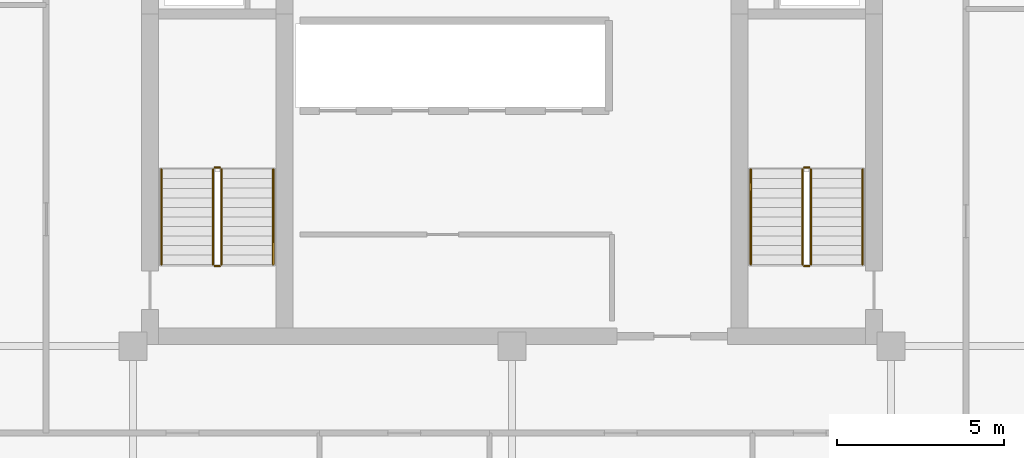
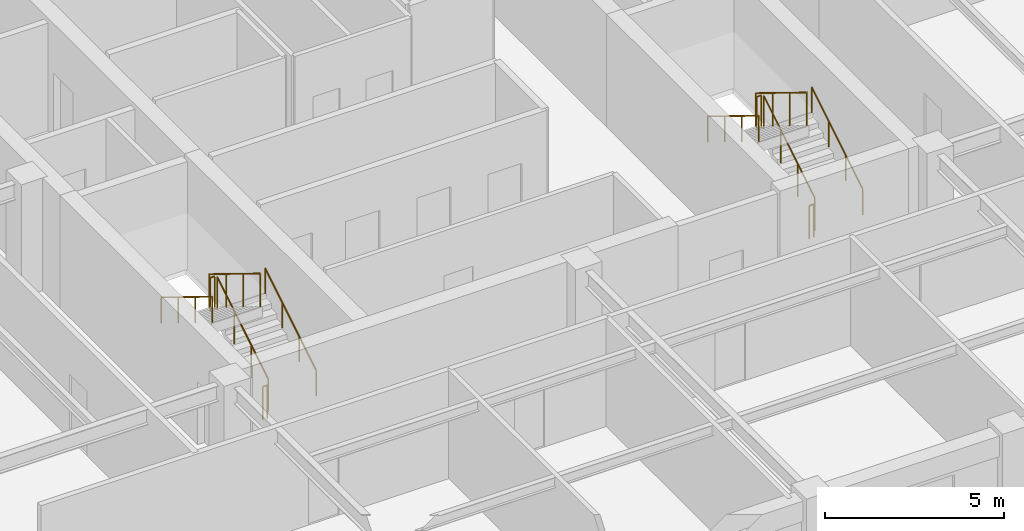
# One storey, part 6 of 6: 12 railings.
"""IFC4 building model written with IfcOpenShell, lengths in metres."""

from ifc_helpers import new_model, si_unit, direction, frame, origin, origin_2d, place, context, subcontext, project, spatial, circle, extrude, material, type_object, element, save


model = new_model("IFC4")

# Units and contexts
model_context = context("Model", 3, precision=1e-05, world=origin(), true_north=direction((0.0, 1.0)))
body_context = subcontext(model_context, "Body", "Model", "MODEL_VIEW")
ifc_project = project(units=[si_unit("LENGTHUNIT", "METRE"), si_unit("AREAUNIT", "SQUARE_METRE"), si_unit("VOLUMEUNIT", "CUBIC_METRE"), si_unit("PLANEANGLEUNIT", "RADIAN"), si_unit("MASSUNIT", "GRAM", prefix="KILO")], contexts=[model_context])

# Site, building, storey
site_placement = place(None, origin())
site = spatial("IfcSite", under=ifc_project, at=site_placement, CompositionType="ELEMENT")
building_placement = place(site_placement, origin())
building = spatial("IfcBuilding", under=site, at=building_placement, Name="Nhamokura Convention Tower", CompositionType="ELEMENT")
storey_placement = place(building_placement, frame((0.0, 0.0, 202.300048828125)))
storey = spatial("IfcBuildingStorey", under=building, at=storey_placement, Name="L49", CompositionType="ELEMENT", Elevation=202.300048828125)

# Railings
ifc_material_1 = material(Name="Anodised bronze stainless steel", Category="steel")
railing_type_1 = type_object("IfcRailingType", Name="StairWallHandrail_900", PredefinedType="HANDRAIL", material=ifc_material_1)
railing_1_placement = place(storey_placement, frame((24.85009765625, 23.10009765625, 0.175048828125)))
element("IfcRailing", 1, at=railing_1_placement, inside=storey, type_object=railing_type_1, Name="L49 ST-01 stair handrail 1", PredefinedType="HANDRAIL", context=body_context, shape_type="SweptSolid", body=[
    extrude(circle(Radius=0.02392578125, at=origin_2d()), frame((0.0, 0.0, 0.8759765625), z_axis=(0.0, 0.852159232446, 0.523282564737), x_axis=(-1.0, 0.0, 0.0)), (0.0, 0.0, 1.0), 3.34423828125),
    extrude(circle(Radius=0.02099609375, at=origin_2d()), origin(), (0.0, 0.0, 1.0), 0.851806640625),
    extrude(circle(Radius=0.02099609375, at=origin_2d()), frame((0.0, 0.949951171875, 0.583251953125)), (0.0, 0.0, 1.0), 0.851806640625),
    extrude(circle(Radius=0.02099609375, at=origin_2d()), frame((0.0, 1.89990234375, 1.166748046875)), (0.0, 0.0, 1.0), 0.851806640625),
    extrude(circle(Radius=0.02099609375, at=origin_2d()), frame((0.0, 2.849853515625, 1.75)), (0.0, 0.0, 1.0), 0.851806640625),
])
railing_2_placement = place(storey_placement, frame((21.5, 25.949951171875, 2.099853515625)))
element("IfcRailing", 2, at=railing_2_placement, inside=storey, type_object=railing_type_1, Name="L49 ST-01 stair handrail 2", PredefinedType="HANDRAIL", context=body_context, shape_type="SweptSolid", body=[
    extrude(circle(Radius=0.02392578125, at=origin_2d()), frame((0.0, 0.0, 0.8759765625), z_axis=(0.0, -0.852159232446, 0.523282564737), x_axis=(1.0, 0.0, 0.0)), (0.0, 0.0, 1.0), 3.34423828125),
    extrude(circle(Radius=0.02099609375, at=origin_2d()), origin(), (0.0, 0.0, 1.0), 0.851806640625),
    extrude(circle(Radius=0.02099609375, at=origin_2d()), frame((0.0, -0.949951171875, 0.583251953125)), (0.0, 0.0, 1.0), 0.851806640625),
    extrude(circle(Radius=0.02099609375, at=origin_2d()), frame((0.0, -1.89990234375, 1.166748046875)), (0.0, 0.0, 1.0), 0.851806640625),
    extrude(circle(Radius=0.02099609375, at=origin_2d()), frame((0.0, -2.849853515625, 1.75)), (0.0, 0.0, 1.0), 0.851806640625),
])
railing_3_placement = place(storey_placement, frame((42.5, 23.10009765625, 0.175048828125)))
element("IfcRailing", 3, at=railing_3_placement, inside=storey, type_object=railing_type_1, Name="L49 ST-02 stair handrail 1", PredefinedType="HANDRAIL", context=body_context, shape_type="SweptSolid", body=[
    extrude(circle(Radius=0.02392578125, at=origin_2d()), frame((0.0, 0.0, 0.8759765625), z_axis=(0.0, 0.852159232446, 0.523282564737), x_axis=(-1.0, 0.0, 0.0)), (0.0, 0.0, 1.0), 3.34423828125),
    extrude(circle(Radius=0.02099609375, at=origin_2d()), origin(), (0.0, 0.0, 1.0), 0.851806640625),
    extrude(circle(Radius=0.02099609375, at=origin_2d()), frame((0.0, 0.949951171875, 0.583251953125)), (0.0, 0.0, 1.0), 0.851806640625),
    extrude(circle(Radius=0.02099609375, at=origin_2d()), frame((0.0, 1.89990234375, 1.166748046875)), (0.0, 0.0, 1.0), 0.851806640625),
    extrude(circle(Radius=0.02099609375, at=origin_2d()), frame((0.0, 2.849853515625, 1.75)), (0.0, 0.0, 1.0), 0.851806640625),
])
railing_4_placement = place(storey_placement, frame((39.14990234375, 25.949951171875, 2.099853515625)))
element("IfcRailing", 4, at=railing_4_placement, inside=storey, type_object=railing_type_1, Name="L49 ST-02 stair handrail 2", PredefinedType="HANDRAIL", context=body_context, shape_type="SweptSolid", body=[
    extrude(circle(Radius=0.02392578125, at=origin_2d()), frame((0.0, 0.0, 0.8759765625), z_axis=(0.0, -0.852159232446, 0.523282564737), x_axis=(1.0, 0.0, 0.0)), (0.0, 0.0, 1.0), 3.34423828125),
    extrude(circle(Radius=0.02099609375, at=origin_2d()), origin(), (0.0, 0.0, 1.0), 0.851806640625),
    extrude(circle(Radius=0.02099609375, at=origin_2d()), frame((0.0, -0.949951171875, 0.583251953125)), (0.0, 0.0, 1.0), 0.851806640625),
    extrude(circle(Radius=0.02099609375, at=origin_2d()), frame((0.0, -1.89990234375, 1.166748046875)), (0.0, 0.0, 1.0), 0.851806640625),
    extrude(circle(Radius=0.02099609375, at=origin_2d()), frame((0.0, -2.849853515625, 1.75)), (0.0, 0.0, 1.0), 0.851806640625),
])
ifc_material_2 = material(Name="Painted tubular steel", Category="steel")
railing_type_2 = type_object("IfcRailingType", Name="StairWellGuardrail_1150", PredefinedType="GUARDRAIL", material=ifc_material_2)
railing_5_placement = place(storey_placement, frame((23.300048828125, 23.10009765625, 0.175048828125)))
element("IfcRailing", 5, at=railing_5_placement, inside=storey, type_object=railing_type_2, Name="L49 ST-01 stair guard 1", PredefinedType="GUARDRAIL", context=body_context, shape_type="SweptSolid", body=[
    extrude(circle(Radius=0.02392578125, at=origin_2d()), frame((0.0, 0.0, 1.1259765625), z_axis=(0.0, 0.852159232446, 0.523282564737), x_axis=(-1.0, 0.0, 0.0)), (0.0, 0.0, 1.0), 3.34423828125),
    extrude(circle(Radius=0.02099609375, at=origin_2d()), origin(), (0.0, 0.0, 1.0), 1.101806640625),
    extrude(circle(Radius=0.02099609375, at=origin_2d()), frame((0.0, 0.949951171875, 0.583251953125)), (0.0, 0.0, 1.0), 1.101806640625),
    extrude(circle(Radius=0.02099609375, at=origin_2d()), frame((0.0, 1.89990234375, 1.166748046875)), (0.0, 0.0, 1.0), 1.101806640625),
    extrude(circle(Radius=0.02099609375, at=origin_2d()), frame((0.0, 2.849853515625, 1.75)), (0.0, 0.0, 1.0), 1.101806640625),
])
railing_6_placement = place(storey_placement, frame((23.25, 26.0, 1.925048828125)))
element("IfcRailing", 6, at=railing_6_placement, inside=storey, type_object=railing_type_2, Name="L49 ST-01 stair guard 2", PredefinedType="GUARDRAIL", context=body_context, shape_type="SweptSolid", body=[
    extrude(circle(Radius=0.02392578125, at=origin_2d()), frame((0.0, 0.0, 1.1259765625), z_axis=(-1.0, 0.0, 0.0), x_axis=(0.0, -1.0, 0.0)), (0.0, 0.0, 1.0), 0.14990234375),
    extrude(circle(Radius=0.02099609375, at=origin_2d()), origin(), (0.0, 0.0, 1.0), 1.101806640625),
    extrude(circle(Radius=0.02099609375, at=origin_2d()), frame((-0.14990234375, 0.0, 0.0)), (0.0, 0.0, 1.0), 1.101806640625),
])
railing_7_placement = place(storey_placement, frame((23.050048828125, 25.949951171875, 2.099853515625)))
element("IfcRailing", 7, at=railing_7_placement, inside=storey, type_object=railing_type_2, Name="L49 ST-01 stair guard 3", PredefinedType="GUARDRAIL", context=body_context, shape_type="SweptSolid", body=[
    extrude(circle(Radius=0.02392578125, at=origin_2d()), frame((0.0, 0.0, 1.1259765625), z_axis=(0.0, -0.852159232446, 0.523282564737), x_axis=(1.0, 0.0, 0.0)), (0.0, 0.0, 1.0), 3.34423828125),
    extrude(circle(Radius=0.02099609375, at=origin_2d()), origin(), (0.0, 0.0, 1.0), 1.101806640625),
    extrude(circle(Radius=0.02099609375, at=origin_2d()), frame((0.0, -0.949951171875, 0.583251953125)), (0.0, 0.0, 1.0), 1.101806640625),
    extrude(circle(Radius=0.02099609375, at=origin_2d()), frame((0.0, -1.89990234375, 1.166748046875)), (0.0, 0.0, 1.0), 1.101806640625),
    extrude(circle(Radius=0.02099609375, at=origin_2d()), frame((0.0, -2.849853515625, 1.75)), (0.0, 0.0, 1.0), 1.101806640625),
])
railing_8_placement = place(storey_placement, frame((23.25, 23.050048828125, 0.0)))
element("IfcRailing", 8, at=railing_8_placement, inside=storey, type_object=railing_type_2, Name="L49 ST-01 stair guard 4", PredefinedType="GUARDRAIL", context=body_context, shape_type="SweptSolid", body=[
    extrude(circle(Radius=0.02392578125, at=origin_2d()), frame((0.0, 0.0, 1.1259765625), z_axis=(-1.0, 0.0, 0.0), x_axis=(0.0, -1.0, 0.0)), (0.0, 0.0, 1.0), 0.14990234375),
    extrude(circle(Radius=0.02099609375, at=origin_2d()), origin(), (0.0, 0.0, 1.0), 1.101806640625),
    extrude(circle(Radius=0.02099609375, at=origin_2d()), frame((-0.14990234375, 0.0, 0.0)), (0.0, 0.0, 1.0), 1.101806640625),
])
railing_9_placement = place(storey_placement, frame((40.949951171875, 23.10009765625, 0.175048828125)))
element("IfcRailing", 9, at=railing_9_placement, inside=storey, type_object=railing_type_2, Name="L49 ST-02 stair guard 1", PredefinedType="GUARDRAIL", context=body_context, shape_type="SweptSolid", body=[
    extrude(circle(Radius=0.02392578125, at=origin_2d()), frame((0.0, 0.0, 1.1259765625), z_axis=(0.0, 0.852159232446, 0.523282564737), x_axis=(-1.0, 0.0, 0.0)), (0.0, 0.0, 1.0), 3.34423828125),
    extrude(circle(Radius=0.02099609375, at=origin_2d()), origin(), (0.0, 0.0, 1.0), 1.101806640625),
    extrude(circle(Radius=0.02099609375, at=origin_2d()), frame((0.0, 0.949951171875, 0.583251953125)), (0.0, 0.0, 1.0), 1.101806640625),
    extrude(circle(Radius=0.02099609375, at=origin_2d()), frame((0.0, 1.89990234375, 1.166748046875)), (0.0, 0.0, 1.0), 1.101806640625),
    extrude(circle(Radius=0.02099609375, at=origin_2d()), frame((0.0, 2.849853515625, 1.75)), (0.0, 0.0, 1.0), 1.101806640625),
])
railing_10_placement = place(storey_placement, frame((40.89990234375, 26.0, 1.925048828125)))
element("IfcRailing", 10, at=railing_10_placement, inside=storey, type_object=railing_type_2, Name="L49 ST-02 stair guard 2", PredefinedType="GUARDRAIL", context=body_context, shape_type="SweptSolid", body=[
    extrude(circle(Radius=0.02392578125, at=origin_2d()), frame((0.0, 0.0, 1.1259765625), z_axis=(-1.0, 0.0, 0.0), x_axis=(0.0, -1.0, 0.0)), (0.0, 0.0, 1.0), 0.14990234375),
    extrude(circle(Radius=0.02099609375, at=origin_2d()), origin(), (0.0, 0.0, 1.0), 1.101806640625),
    extrude(circle(Radius=0.02099609375, at=origin_2d()), frame((-0.14990234375, 0.0, 0.0)), (0.0, 0.0, 1.0), 1.101806640625),
])
railing_11_placement = place(storey_placement, frame((40.699951171875, 25.949951171875, 2.099853515625)))
element("IfcRailing", 11, at=railing_11_placement, inside=storey, type_object=railing_type_2, Name="L49 ST-02 stair guard 3", PredefinedType="GUARDRAIL", context=body_context, shape_type="SweptSolid", body=[
    extrude(circle(Radius=0.02392578125, at=origin_2d()), frame((0.0, 0.0, 1.1259765625), z_axis=(0.0, -0.852159232446, 0.523282564737), x_axis=(1.0, 0.0, 0.0)), (0.0, 0.0, 1.0), 3.34423828125),
    extrude(circle(Radius=0.02099609375, at=origin_2d()), origin(), (0.0, 0.0, 1.0), 1.101806640625),
    extrude(circle(Radius=0.02099609375, at=origin_2d()), frame((0.0, -0.949951171875, 0.583251953125)), (0.0, 0.0, 1.0), 1.101806640625),
    extrude(circle(Radius=0.02099609375, at=origin_2d()), frame((0.0, -1.89990234375, 1.166748046875)), (0.0, 0.0, 1.0), 1.101806640625),
    extrude(circle(Radius=0.02099609375, at=origin_2d()), frame((0.0, -2.849853515625, 1.75)), (0.0, 0.0, 1.0), 1.101806640625),
])
railing_12_placement = place(storey_placement, frame((40.89990234375, 23.050048828125, 0.0)))
element("IfcRailing", 12, at=railing_12_placement, inside=storey, type_object=railing_type_2, Name="L49 ST-02 stair guard 4", PredefinedType="GUARDRAIL", context=body_context, shape_type="SweptSolid", body=[
    extrude(circle(Radius=0.02392578125, at=origin_2d()), frame((0.0, 0.0, 1.1259765625), z_axis=(-1.0, 0.0, 0.0), x_axis=(0.0, -1.0, 0.0)), (0.0, 0.0, 1.0), 0.14990234375),
    extrude(circle(Radius=0.02099609375, at=origin_2d()), origin(), (0.0, 0.0, 1.0), 1.101806640625),
    extrude(circle(Radius=0.02099609375, at=origin_2d()), frame((-0.14990234375, 0.0, 0.0)), (0.0, 0.0, 1.0), 1.101806640625),
])

save(model, "model.ifc")
